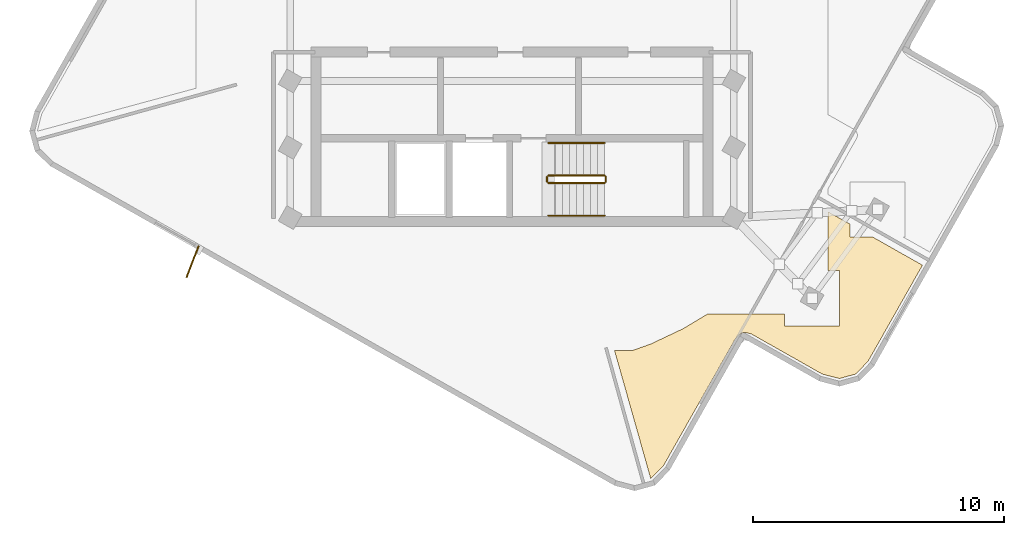
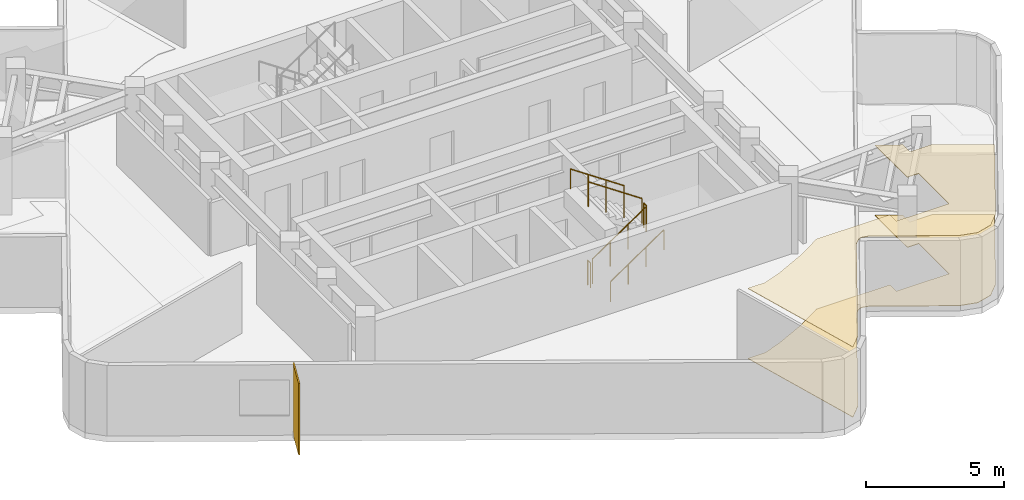
# One storey, part 8 of 11: 6 railings, 2 coverings, 1 shading device.
"""IFC4 building model written with IfcOpenShell, lengths in metres."""

from ifc_helpers import new_model, si_unit, direction, frame, origin, origin_2d, place, context, subcontext, project, spatial, polyline, rectangle, circle, outline, extrude, material, layer, layer_set, type_object, element, save


model = new_model("IFC4")

# Units and contexts
model_context = context("Model", 3, precision=1e-05, world=origin(), true_north=direction((0.0, 1.0)))
body_context = subcontext(model_context, "Body", "Model", "MODEL_VIEW")
ifc_project = project(units=[si_unit("LENGTHUNIT", "METRE"), si_unit("AREAUNIT", "SQUARE_METRE"), si_unit("VOLUMEUNIT", "CUBIC_METRE"), si_unit("PLANEANGLEUNIT", "RADIAN"), si_unit("MASSUNIT", "GRAM", prefix="KILO")], contexts=[model_context])

# Site, building, storey
site_placement = place(None, origin())
site = spatial("IfcSite", under=ifc_project, at=site_placement, CompositionType="ELEMENT")
building_placement = place(site_placement, origin())
building = spatial("IfcBuilding", under=site, at=building_placement, Name="Solmarez Civic Tower", CompositionType="ELEMENT")
storey_placement = place(building_placement, frame((0.0, 0.0, 281.699951171875)))
storey = spatial("IfcBuildingStorey", under=building, at=storey_placement, Name="L76", CompositionType="ELEMENT", Elevation=281.699951171875)

# Coverings
ifc_material_1 = material(Name="Perforated Mineral-Fibre Acoustic Ceiling")
ifc_layer_1 = layer(ifc_material_1, 0.02490234375)
ifc_layer_set_1 = layer_set([ifc_layer_1], Name="Perforated Mineral-Fibre Acoustic Ceiling")
covering_type_1 = type_object("IfcCoveringType", Name="COV-CEIL-ACOUSTIC", PredefinedType="CEILING", material=ifc_layer_set_1)
covering_1_placement = place(storey_placement, frame((0.0, 0.0, 3.094970703125)))
element("IfcCovering", 1, at=covering_1_placement, inside=storey, type_object=covering_type_1, Name="L76 Suspended Acoustic Ceiling 4", PredefinedType="CEILING", context=body_context, shape_type="SweptSolid", body=[
    extrude(outline(polyline([(6.81396484375, -12.787109375), (5.552978515625, -13.384033203125), (5.532958984375, -13.39208984375), (4.85107421875, -13.635986328125), (4.844970703125, -13.637939453125), (4.818115234375, -13.64501953125), (4.81298828125, -13.64599609375), (4.7919921875, -13.64892578125), (4.77001953125, -13.64990234375), (4.090087890625, -13.64990234375), (5.534912109375, -18.762939453125), (5.5419921875, -18.760986328125), (6.0390625, -18.2548828125), (8.89697265625, -13.208984375), (8.905029296875, -13.195068359375), (8.908935546875, -13.18896484375), (8.919921875, -13.174072265625), (8.924072265625, -13.1689453125), (8.93994140625, -13.14990234375), (8.944091796875, -13.14599609375), (9.06396484375, -13.02392578125), (9.080078125, -13.009033203125), (9.092041015625, -12.9990234375), (9.111083984375, -12.985107421875), (9.116943359375, -12.98095703125), (9.134033203125, -12.970947265625), (9.152099609375, -12.9619140625), (9.166015625, -12.9560546875), (9.193115234375, -12.946044921875), (9.199951171875, -12.944091796875), (9.216064453125, -12.93994140625), (9.23291015625, -12.93798828125), (9.240966796875, -12.93701171875), (9.2490234375, -12.93603515625), (9.27587890625, -12.93408203125), (9.282958984375, -12.93408203125), (9.31005859375, -12.93603515625), (9.318115234375, -12.93701171875), (9.3349609375, -12.93896484375), (9.35107421875, -12.943115234375), (9.35595703125, -12.945068359375), (9.52001953125, -12.987060546875), (9.5380859375, -12.991943359375), (9.56005859375, -13.0), (9.5810546875, -13.009033203125), (9.597900390625, -13.02001953125), (12.376953125, -14.593017578125), (13.06298828125, -14.77001953125), (13.7060546875, -14.593017578125), (14.202880859375, -14.0869140625), (16.3759765625, -10.2490234375), (14.39208984375, -9.1259765625), (13.48291015625, -9.1259765625), (13.48291015625, -8.611083984375), (12.60009765625, -8.111083984375), (12.60009765625, -10.466064453125), (13.071044921875, -10.466064453125), (13.071044921875, -12.666015625), (10.87109375, -12.666015625), (10.87109375, -12.199951171875), (7.797119140625, -12.199951171875), (6.842041015625, -12.77294921875), (6.826904296875, -12.781005859375), (6.81396484375, -12.787109375)])), origin(), (0.0, 0.0, 1.0), 0.025146484375),
])
ifc_material_2 = material(Name="Polished Tropical Stone Terrazzo Flooring", Category="masonry")
ifc_layer_2 = layer(ifc_material_2, 0.02001953125)
ifc_layer_set_2 = layer_set([ifc_layer_2], Name="Polished Tropical Stone Terrazzo Flooring")
covering_type_2 = type_object("IfcCoveringType", Name="COV-FLOOR-TERRAZZO", PredefinedType="FLOORING", material=ifc_layer_set_2)
covering_2_placement = place(storey_placement, origin())
element("IfcCovering", 2, at=covering_2_placement, inside=storey, type_object=covering_type_2, Name="L76 Terrazzo Floor Finish 4", PredefinedType="FLOORING", context=body_context, shape_type="SweptSolid", body=[
    extrude(outline(polyline([(6.81396484375, -12.787109375), (5.552978515625, -13.384033203125), (5.532958984375, -13.39208984375), (4.85107421875, -13.635986328125), (4.844970703125, -13.637939453125), (4.818115234375, -13.64501953125), (4.81298828125, -13.64599609375), (4.7919921875, -13.64892578125), (4.77001953125, -13.64990234375), (4.090087890625, -13.64990234375), (5.534912109375, -18.762939453125), (5.5419921875, -18.760986328125), (6.0390625, -18.2548828125), (8.89697265625, -13.208984375), (8.905029296875, -13.195068359375), (8.908935546875, -13.18896484375), (8.919921875, -13.174072265625), (8.924072265625, -13.1689453125), (8.93994140625, -13.14990234375), (8.944091796875, -13.14599609375), (9.06396484375, -13.02392578125), (9.080078125, -13.009033203125), (9.092041015625, -12.9990234375), (9.111083984375, -12.985107421875), (9.116943359375, -12.98095703125), (9.134033203125, -12.970947265625), (9.152099609375, -12.9619140625), (9.166015625, -12.9560546875), (9.193115234375, -12.946044921875), (9.199951171875, -12.944091796875), (9.216064453125, -12.93994140625), (9.23291015625, -12.93798828125), (9.240966796875, -12.93701171875), (9.2490234375, -12.93603515625), (9.27587890625, -12.93408203125), (9.282958984375, -12.93408203125), (9.31005859375, -12.93603515625), (9.318115234375, -12.93701171875), (9.3349609375, -12.93896484375), (9.35107421875, -12.943115234375), (9.35595703125, -12.945068359375), (9.52001953125, -12.987060546875), (9.5380859375, -12.991943359375), (9.56005859375, -13.0), (9.5810546875, -13.009033203125), (9.597900390625, -13.02001953125), (12.376953125, -14.593017578125), (13.06298828125, -14.77001953125), (13.7060546875, -14.593017578125), (14.202880859375, -14.0869140625), (16.3759765625, -10.2490234375), (14.39208984375, -9.1259765625), (13.48291015625, -9.1259765625), (13.48291015625, -8.611083984375), (12.60009765625, -8.111083984375), (12.60009765625, -10.466064453125), (13.071044921875, -10.466064453125), (13.071044921875, -12.666015625), (10.87109375, -12.666015625), (10.87109375, -12.199951171875), (7.797119140625, -12.199951171875), (6.842041015625, -12.77294921875), (6.826904296875, -12.781005859375), (6.81396484375, -12.787109375)])), origin(), (0.0, 0.0, 1.0), 0.02001953125),
])

# Shading device
ifc_material_3 = material(Name="Bronze Anodised Aluminium EN AW-6063 T6", Category="aluminium")
ifc_layer_3 = layer(ifc_material_3, 0.054931640625)
ifc_layer_set_3 = layer_set([ifc_layer_3], Name="Bronze Anodised Aluminium EN AW-6063 T6")
shading_device_type = type_object("IfcShadingDeviceType", Name="FIN-BRONZE-Z56", PredefinedType="USERDEFINED", material=ifc_layer_set_3)
shading_device_placement = place(storey_placement, frame((-12.742919921875, -10.10791015625, -0.0400390625), z_axis=(0.0, 0.0, 1.0), x_axis=(-0.360306167429, -0.932834104068, 0.0)))
element("IfcShadingDevice", 3, at=shading_device_placement, inside=storey, type_object=shading_device_type, Name="L76 Anodised Bronze Solar Fin FIN-L76-01", ObjectType="FIN", PredefinedType="USERDEFINED", context=body_context, shape_type="SweptSolid", body=[
    extrude(rectangle(XDim=1.35009765625, YDim=0.054931640625, at=origin_2d()), origin(), (0.0, 0.0, 1.0), 3.159912109375),
])

# Railings
ifc_material_4 = material(Name="Painted Steel Stairwell Safety Guard", Category="steel")
railing_type_1 = type_object("IfcRailingType", Name="GUARD-STAIR-1120", PredefinedType="BALUSTRADE", material=ifc_material_4)
railing_1_placement = place(storey_placement, frame((1.449951171875, -6.969970703125, 0.18994140625)))
element("IfcRailing", 4, at=railing_1_placement, inside=storey, type_object=railing_type_1, Name="L76 ST-2 stair guard 1", PredefinedType="BALUSTRADE", context=body_context, shape_type="SweptSolid", body=[
    extrude(circle(Radius=0.02392578125, at=origin_2d()), frame((0.0, 0.0, 1.09619140625), z_axis=(0.827471284677, 0.0, 0.561508034703), x_axis=(0.0, 1.0, 0.0)), (0.0, 0.0, 1.0), 2.70703125),
    extrude(circle(Radius=0.02099609375, at=origin_2d()), origin(), (0.0, 0.0, 1.0), 1.072021484375),
    extrude(circle(Radius=0.02099609375, at=origin_2d()), frame((0.74658203125, 0.0, 0.506591796875)), (0.0, 0.0, 1.0), 1.072021484375),
    extrude(circle(Radius=0.02099609375, at=origin_2d()), frame((1.493408203125, 0.0, 1.013427734375)), (0.0, 0.0, 1.0), 1.072021484375),
    extrude(circle(Radius=0.02099609375, at=origin_2d()), frame((2.239990234375, 0.0, 1.52001953125)), (0.0, 0.0, 1.0), 1.072021484375),
])
railing_2_placement = place(storey_placement, frame((3.739990234375, -6.919921875, 1.7099609375)))
element("IfcRailing", 5, at=railing_2_placement, inside=storey, type_object=railing_type_1, Name="L76 ST-2 stair guard 2", PredefinedType="BALUSTRADE", context=body_context, shape_type="SweptSolid", body=[
    extrude(circle(Radius=0.02392578125, at=origin_2d()), frame((0.0, 0.0, 1.09619140625), z_axis=(0.0, 1.0, 0.0), x_axis=(-1.0, 0.0, 0.0)), (0.0, 0.0, 1.0), 0.199951171875),
    extrude(circle(Radius=0.02099609375, at=origin_2d()), origin(), (0.0, 0.0, 1.0), 1.072021484375),
    extrude(circle(Radius=0.02099609375, at=origin_2d()), frame((0.0, 0.199951171875, 0.0)), (0.0, 0.0, 1.0), 1.072021484375),
])
railing_3_placement = place(storey_placement, frame((3.68994140625, -6.669921875, 1.900146484375)))
element("IfcRailing", 6, at=railing_3_placement, inside=storey, type_object=railing_type_1, Name="L76 ST-2 stair guard 3", PredefinedType="BALUSTRADE", context=body_context, shape_type="SweptSolid", body=[
    extrude(circle(Radius=0.02392578125, at=origin_2d()), frame((0.0, 0.0, 1.09619140625), z_axis=(-0.827471284677, 0.0, 0.561508034703), x_axis=(0.0, -1.0, 0.0)), (0.0, 0.0, 1.0), 2.70703125),
    extrude(circle(Radius=0.02099609375, at=origin_2d()), origin(), (0.0, 0.0, 1.0), 1.072021484375),
    extrude(circle(Radius=0.02099609375, at=origin_2d()), frame((-0.74658203125, 0.0, 0.506591796875)), (0.0, 0.0, 1.0), 1.072021484375),
    extrude(circle(Radius=0.02099609375, at=origin_2d()), frame((-1.493408203125, 0.0, 1.013427734375)), (0.0, 0.0, 1.0), 1.072021484375),
    extrude(circle(Radius=0.02099609375, at=origin_2d()), frame((-2.239990234375, 0.0, 1.52001953125)), (0.0, 0.0, 1.0), 1.072021484375),
])
railing_4_placement = place(storey_placement, frame((1.39990234375, -6.919921875, 0.0)))
element("IfcRailing", 7, at=railing_4_placement, inside=storey, type_object=railing_type_1, Name="L76 ST-2 stair guard 4", PredefinedType="BALUSTRADE", context=body_context, shape_type="SweptSolid", body=[
    extrude(circle(Radius=0.02392578125, at=origin_2d()), frame((0.0, 0.0, 1.09619140625), z_axis=(0.0, 1.0, 0.0), x_axis=(-1.0, 0.0, 0.0)), (0.0, 0.0, 1.0), 0.199951171875),
    extrude(circle(Radius=0.02099609375, at=origin_2d()), origin(), (0.0, 0.0, 1.0), 1.072021484375),
    extrude(circle(Radius=0.02099609375, at=origin_2d()), frame((0.0, 0.199951171875, 0.0)), (0.0, 0.0, 1.0), 1.072021484375),
])
ifc_material_5 = material(Name="Brushed Stainless Steel Tube Handrail", Category="steel")
railing_type_2 = type_object("IfcRailingType", Name="HANDRAIL-STAIR-900", PredefinedType="HANDRAIL", material=ifc_material_5)
railing_5_placement = place(storey_placement, frame((1.449951171875, -8.27001953125, 0.18994140625)))
element("IfcRailing", 8, at=railing_5_placement, inside=storey, type_object=railing_type_2, Name="L76 ST-2 stair handrail 1", PredefinedType="HANDRAIL", context=body_context, shape_type="SweptSolid", body=[
    extrude(circle(Radius=0.02392578125, at=origin_2d()), frame((0.0, 0.0, 0.8759765625), z_axis=(0.827471284677, 0.0, 0.561508034703), x_axis=(0.0, 1.0, 0.0)), (0.0, 0.0, 1.0), 2.70703125),
    extrude(circle(Radius=0.02099609375, at=origin_2d()), origin(), (0.0, 0.0, 1.0), 0.851806640625),
    extrude(circle(Radius=0.02099609375, at=origin_2d()), frame((0.74658203125, 0.0, 0.506591796875)), (0.0, 0.0, 1.0), 0.851806640625),
    extrude(circle(Radius=0.02099609375, at=origin_2d()), frame((1.493408203125, 0.0, 1.013427734375)), (0.0, 0.0, 1.0), 0.851806640625),
    extrude(circle(Radius=0.02099609375, at=origin_2d()), frame((2.239990234375, 0.0, 1.52001953125)), (0.0, 0.0, 1.0), 0.851806640625),
])
railing_6_placement = place(storey_placement, frame((3.68994140625, -5.3701171875, 1.900146484375)))
element("IfcRailing", 9, at=railing_6_placement, inside=storey, type_object=railing_type_2, Name="L76 ST-2 stair handrail 2", PredefinedType="HANDRAIL", context=body_context, shape_type="SweptSolid", body=[
    extrude(circle(Radius=0.02392578125, at=origin_2d()), frame((0.0, 0.0, 0.8759765625), z_axis=(-0.827471284677, 0.0, 0.561508034703), x_axis=(0.0, -1.0, 0.0)), (0.0, 0.0, 1.0), 2.70703125),
    extrude(circle(Radius=0.02099609375, at=origin_2d()), origin(), (0.0, 0.0, 1.0), 0.851806640625),
    extrude(circle(Radius=0.02099609375, at=origin_2d()), frame((-0.74658203125, 0.0, 0.506591796875)), (0.0, 0.0, 1.0), 0.851806640625),
    extrude(circle(Radius=0.02099609375, at=origin_2d()), frame((-1.493408203125, 0.0, 1.013427734375)), (0.0, 0.0, 1.0), 0.851806640625),
    extrude(circle(Radius=0.02099609375, at=origin_2d()), frame((-2.239990234375, 0.0, 1.52001953125)), (0.0, 0.0, 1.0), 0.851806640625),
])

save(model, "model.ifc")
